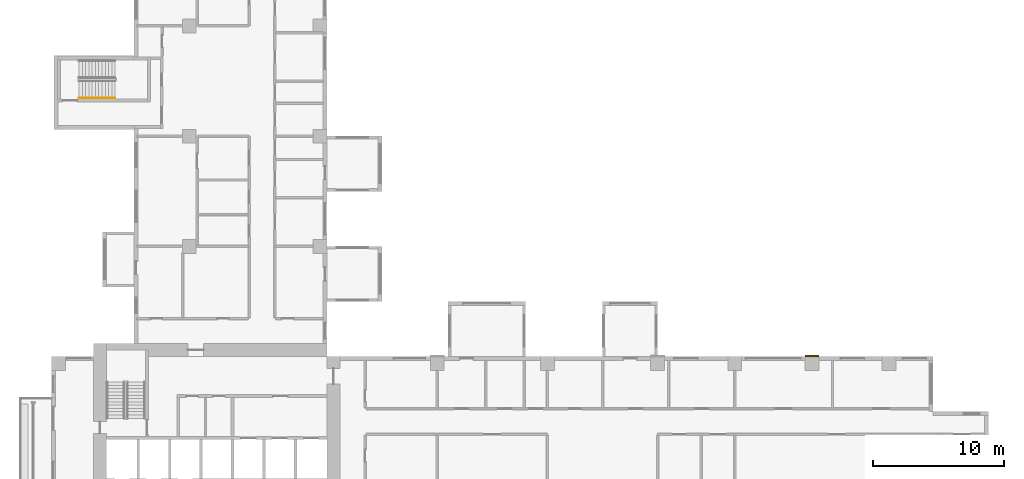
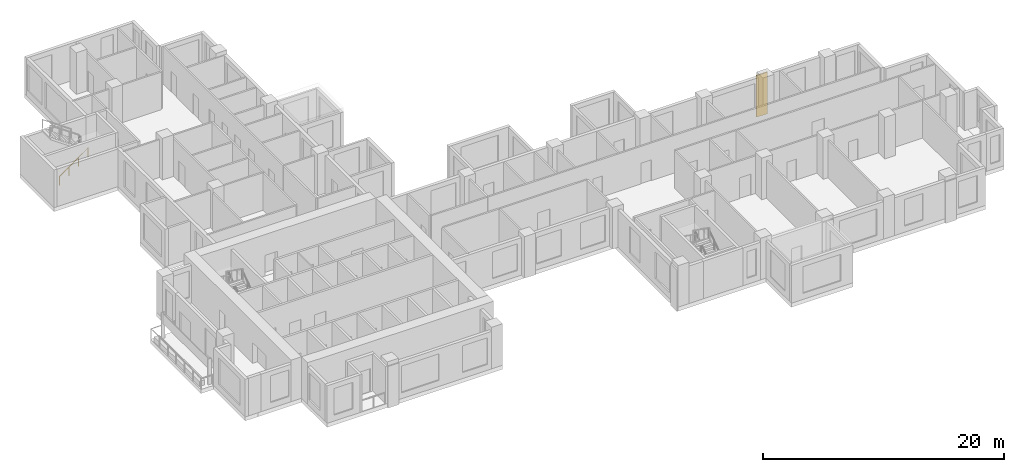
# One storey, part 12 of 14: 1 covering, 1 railing.
"""IFC4 building model written with IfcOpenShell, lengths in metres."""

from ifc_helpers import new_model, si_unit, direction, frame, origin, origin_2d, place, context, subcontext, project, spatial, rectangle, circle, extrude, source, transform, mapped, material, type_object, element, save


model = new_model("IFC4")

# Units and contexts
model_context = context("Model", 3, precision=1e-05, world=origin(), true_north=direction((0.0, 1.0)))
body_context = subcontext(model_context, "Body", "Model", "MODEL_VIEW")
ifc_project = project(units=[si_unit("LENGTHUNIT", "METRE"), si_unit("AREAUNIT", "SQUARE_METRE"), si_unit("VOLUMEUNIT", "CUBIC_METRE"), si_unit("PLANEANGLEUNIT", "RADIAN"), si_unit("MASSUNIT", "GRAM", prefix="KILO")], contexts=[model_context])

# Site, building, storey
site_placement = place(None, origin())
site = spatial("IfcSite", under=ifc_project, at=site_placement, CompositionType="ELEMENT")
building_placement = place(site_placement, origin())
building = spatial("IfcBuilding", under=site, at=building_placement, Name="Aurelian Terraces", CompositionType="ELEMENT")
storey_placement = place(building_placement, frame((0.0, 0.0, 149.7)))
storey = spatial("IfcBuildingStorey", under=building, at=storey_placement, Name="L33", CompositionType="ELEMENT", Elevation=149.7)

# Covering
ifc_material_1 = material(Name="Terracotta rainscreen cladding relief", Category="masonry")
covering_type = type_object("IfcCoveringType", Name="BAGUETTE-TC", PredefinedType="CLADDING", material=ifc_material_1)
shared_shape_1 = source(origin(), body_context, "Body", "SweptSolid", [
    extrude(rectangle(XDim=1.05, YDim=0.12, at=origin_2d()), origin(), (0.0, 0.0, 1.0), 4.2),
])
covering_placement = place(storey_placement, frame((57.96, 21.06, -0.4), z_axis=(0.0, 0.0, 1.0), x_axis=(1.0, 0.0, 0.0)))
element("IfcCovering", 1, at=covering_placement, inside=storey, type_object=covering_type, Name="BAGUETTE pier L33 7", PredefinedType="CLADDING", context=body_context, shape_type="MappedRepresentation", body=[
    mapped(shared_shape_1, transform((0.0, 0.0, 0.0), scale=1.0)),
])

# Railing
ifc_material_2 = material(Name="Stainless steel", Category="steel")
railing_type = type_object("IfcRailingType", Name="Stair handrail", PredefinedType="HANDRAIL", material=ifc_material_2)
shared_shape_2 = source(origin(), body_context, "Body", "SweptSolid", [
    extrude(circle(Radius=0.024, at=origin_2d()), frame((0.0, 0.0, 0.876), z_axis=(0.819231920519, 0.0, 0.573462344363), x_axis=(0.0, 1.0, 0.0)), (0.0, 0.0, 1.0), 3.3568),
    extrude(circle(Radius=0.021, at=origin_2d()), origin(), (0.0, 0.0, 1.0), 0.852),
    extrude(circle(Radius=0.021, at=origin_2d()), frame((0.9167, 0.0, 0.6417)), (0.0, 0.0, 1.0), 0.852),
    extrude(circle(Radius=0.021, at=origin_2d()), frame((1.8333, 0.0, 1.2833)), (0.0, 0.0, 1.0), 0.852),
    extrude(circle(Radius=0.021, at=origin_2d()), frame((2.75, 0.0, 1.925)), (0.0, 0.0, 1.0), 0.852),
])
railing_placement = place(storey_placement, frame((2.1, 40.7, 0.175)))
element("IfcRailing", 2, at=railing_placement, inside=storey, type_object=railing_type, Name="L33 S3 stair handrail 1", PredefinedType="HANDRAIL", context=body_context, shape_type="MappedRepresentation", body=[
    mapped(shared_shape_2, transform((0.0, 0.0, 0.0), scale=1.0)),
])

save(model, "model.ifc")
